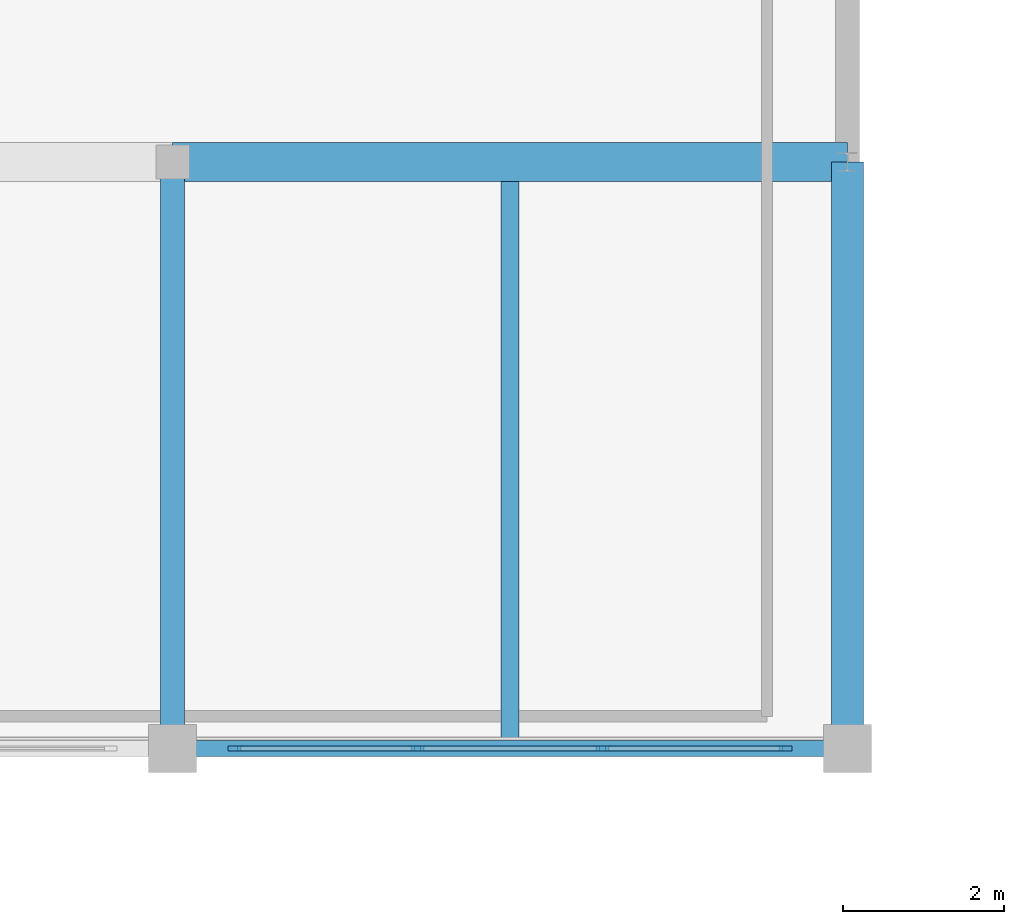
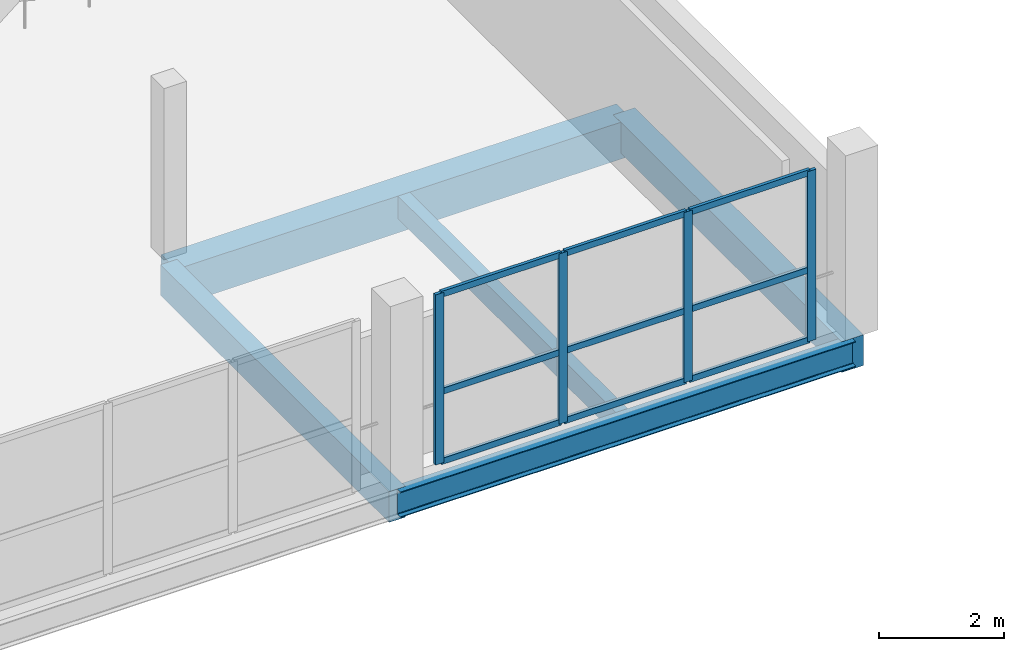
# One storey, part 26 of 51: 13 members, 5 beams, 1 element without a shape of its own.
"""IFC4 building model written with IfcOpenShell, lengths in metres."""

from ifc_helpers import new_model, si_unit, direction, frame, origin, origin_2d, place, context, subcontext, project, spatial, rectangle, i_section, extrude, material, material_profile, profile_set, type_object, element, aggregate, save


model = new_model("IFC4")

# Units and contexts
model_context = context("Model", 3, precision=1e-05, world=origin(), true_north=direction((0.0, 1.0)))
body_context = subcontext(model_context, "Body", "Model", "MODEL_VIEW")
ifc_project = project(units=[si_unit("LENGTHUNIT", "METRE"), si_unit("AREAUNIT", "SQUARE_METRE"), si_unit("VOLUMEUNIT", "CUBIC_METRE"), si_unit("PLANEANGLEUNIT", "RADIAN"), si_unit("MASSUNIT", "GRAM", prefix="KILO")], contexts=[model_context])

# Site, building, storey
site_placement = place(None, origin())
site = spatial("IfcSite", under=ifc_project, at=site_placement, CompositionType="ELEMENT")
building_placement = place(site_placement, origin())
building = spatial("IfcBuilding", under=site, at=building_placement, Name="Vharandega Faculty of Natural Sciences", CompositionType="ELEMENT")
storey_placement = place(building_placement, frame((0.0, 0.0, 14.39990234375)))
storey = spatial("IfcBuildingStorey", under=building, at=storey_placement, Name="L03", CompositionType="ELEMENT", Elevation=14.39990234375)

# Curtain wall, members
ifc_material_1 = material(Name="Aluminium and solar-control glass curtain wall", Category="aluminium")
curtain_wall_type = type_object("IfcCurtainWallType", Name="Unitised Curtain Wall System CW-17", PredefinedType="NOTDEFINED", material=ifc_material_1)
curtain_wall_placement = place(storey_placement, origin())
curtain_wall = element("IfcCurtainWall", 1, at=curtain_wall_placement, inside=storey, type_object=curtain_wall_type, Name="Curtain Wall CW-L03-072", PredefinedType="NOTDEFINED")
ifc_material_2 = material(Name="Thermally broken aluminium 6063-T6", Category="aluminium")
ifc_material_profile_1 = material_profile(ifc_material_2, rectangle(XDim=0.06005859375, YDim=0.159912109375, at=origin_2d()), Name="ALU 60x160")
ifc_profile_set_1 = profile_set([ifc_material_profile_1], Name="Thermally broken aluminium 6063-T6")
member_type_1 = type_object("IfcMemberType", Name="CW Mullion 60x160", PredefinedType="MULLION", material=ifc_profile_set_1)
member_1_placement = place(storey_placement, frame((65.169921875, 97.0, 0.0), z_axis=(0.0, 0.0, 1.0), x_axis=(0.0, 1.0, 0.0)))
member_1 = element("IfcMember", 2, at=member_1_placement, type_object=member_type_1, Name="CW-17 mullion 1", PredefinedType="MULLION", context=body_context, shape_type="SweptSolid", body=[
    extrude(rectangle(XDim=0.06005859375, YDim=0.159912109375, at=origin_2d()), origin(), (0.0, 0.0, 1.0), 3.320068359375),
])
member_2_placement = place(storey_placement, frame((67.44677734375, 97.0, 0.0), z_axis=(0.0, 0.0, 1.0), x_axis=(0.0, 1.0, 0.0)))
member_2 = element("IfcMember", 3, at=member_2_placement, type_object=member_type_1, Name="CW-17 mullion 2", PredefinedType="MULLION", context=body_context, shape_type="SweptSolid", body=[
    extrude(rectangle(XDim=0.06005859375, YDim=0.159912109375, at=origin_2d()), origin(), (0.0, 0.0, 1.0), 3.320068359375),
])
member_3_placement = place(storey_placement, frame((69.75341796875, 97.0, 0.0), z_axis=(0.0, 0.0, 1.0), x_axis=(0.0, 1.0, 0.0)))
member_3 = element("IfcMember", 4, at=member_3_placement, type_object=member_type_1, Name="CW-17 mullion 3", PredefinedType="MULLION", context=body_context, shape_type="SweptSolid", body=[
    extrude(rectangle(XDim=0.06005859375, YDim=0.159912109375, at=origin_2d()), origin(), (0.0, 0.0, 1.0), 3.320068359375),
])
member_4_placement = place(storey_placement, frame((72.030029296875, 97.0, 0.0), z_axis=(0.0, 0.0, 1.0), x_axis=(0.0, 1.0, 0.0)))
member_4 = element("IfcMember", 5, at=member_4_placement, type_object=member_type_1, Name="CW-17 mullion 4", PredefinedType="MULLION", context=body_context, shape_type="SweptSolid", body=[
    extrude(rectangle(XDim=0.06005859375, YDim=0.159912109375, at=origin_2d()), origin(), (0.0, 0.0, 1.0), 3.320068359375),
])
ifc_material_3 = material(Name="Thermally broken aluminium 6063-T6", Category="aluminium")
ifc_material_profile_2 = material_profile(ifc_material_3, rectangle(XDim=0.06005859375, YDim=0.1201171875, at=origin_2d()), Name="ALU 60x120")
ifc_profile_set_2 = profile_set([ifc_material_profile_2], Name="Thermally broken aluminium 6063-T6")
member_type_2 = type_object("IfcMemberType", Name="CW Transom 60x120", PredefinedType="USERDEFINED", material=ifc_profile_set_2)
member_5_placement = place(storey_placement, frame((65.199951171875, 97.0, 0.030029296875), z_axis=(1.0, 0.0, 0.0), x_axis=(0.0, 1.0, 0.0)))
member_5 = element("IfcMember", 6, at=member_5_placement, type_object=member_type_2, Name="CW-17 transom 1.1", ObjectType="TRANSOM", PredefinedType="USERDEFINED", context=body_context, shape_type="SweptSolid", body=[
    extrude(rectangle(XDim=0.06005859375, YDim=0.1201171875, at=origin_2d()), origin(), (0.0, 0.0, 1.0), 2.216796875),
])
member_6_placement = place(storey_placement, frame((65.199951171875, 97.0, 1.39453125), z_axis=(1.0, 0.0, 0.0), x_axis=(0.0, 1.0, 0.0)))
member_6 = element("IfcMember", 7, at=member_6_placement, type_object=member_type_2, Name="CW-17 transom 1.2", ObjectType="TRANSOM", PredefinedType="USERDEFINED", context=body_context, shape_type="SweptSolid", body=[
    extrude(rectangle(XDim=0.06005859375, YDim=0.1201171875, at=origin_2d()), origin(), (0.0, 0.0, 1.0), 2.216796875),
])
member_7_placement = place(storey_placement, frame((65.199951171875, 97.0, 3.2900390625), z_axis=(1.0, 0.0, 0.0), x_axis=(0.0, 1.0, 0.0)))
member_7 = element("IfcMember", 8, at=member_7_placement, type_object=member_type_2, Name="CW-17 transom 1.3", ObjectType="TRANSOM", PredefinedType="USERDEFINED", context=body_context, shape_type="SweptSolid", body=[
    extrude(rectangle(XDim=0.06005859375, YDim=0.1201171875, at=origin_2d()), origin(), (0.0, 0.0, 1.0), 2.216796875),
])
member_8_placement = place(storey_placement, frame((67.4765625, 97.0, 0.030029296875), z_axis=(1.0, 0.0, 0.0), x_axis=(0.0, 1.0, 0.0)))
member_8 = element("IfcMember", 9, at=member_8_placement, type_object=member_type_2, Name="CW-17 transom 2.1", ObjectType="TRANSOM", PredefinedType="USERDEFINED", context=body_context, shape_type="SweptSolid", body=[
    extrude(rectangle(XDim=0.06005859375, YDim=0.1201171875, at=origin_2d()), origin(), (0.0, 0.0, 1.0), 2.246826171875),
])
member_9_placement = place(storey_placement, frame((67.4765625, 97.0, 1.39453125), z_axis=(1.0, 0.0, 0.0), x_axis=(0.0, 1.0, 0.0)))
member_9 = element("IfcMember", 10, at=member_9_placement, type_object=member_type_2, Name="CW-17 transom 2.2", ObjectType="TRANSOM", PredefinedType="USERDEFINED", context=body_context, shape_type="SweptSolid", body=[
    extrude(rectangle(XDim=0.06005859375, YDim=0.1201171875, at=origin_2d()), origin(), (0.0, 0.0, 1.0), 2.246826171875),
])
member_10_placement = place(storey_placement, frame((67.4765625, 97.0, 3.2900390625), z_axis=(1.0, 0.0, 0.0), x_axis=(0.0, 1.0, 0.0)))
member_10 = element("IfcMember", 11, at=member_10_placement, type_object=member_type_2, Name="CW-17 transom 2.3", ObjectType="TRANSOM", PredefinedType="USERDEFINED", context=body_context, shape_type="SweptSolid", body=[
    extrude(rectangle(XDim=0.06005859375, YDim=0.1201171875, at=origin_2d()), origin(), (0.0, 0.0, 1.0), 2.246826171875),
])
member_11_placement = place(storey_placement, frame((69.783447265625, 97.0, 0.030029296875), z_axis=(1.0, 0.0, 0.0), x_axis=(0.0, 1.0, 0.0)))
member_11 = element("IfcMember", 12, at=member_11_placement, type_object=member_type_2, Name="CW-17 transom 3.1", ObjectType="TRANSOM", PredefinedType="USERDEFINED", context=body_context, shape_type="SweptSolid", body=[
    extrude(rectangle(XDim=0.06005859375, YDim=0.1201171875, at=origin_2d()), origin(), (0.0, 0.0, 1.0), 2.216552734375),
])
member_12_placement = place(storey_placement, frame((69.783447265625, 97.0, 1.39453125), z_axis=(1.0, 0.0, 0.0), x_axis=(0.0, 1.0, 0.0)))
member_12 = element("IfcMember", 13, at=member_12_placement, type_object=member_type_2, Name="CW-17 transom 3.2", ObjectType="TRANSOM", PredefinedType="USERDEFINED", context=body_context, shape_type="SweptSolid", body=[
    extrude(rectangle(XDim=0.06005859375, YDim=0.1201171875, at=origin_2d()), origin(), (0.0, 0.0, 1.0), 2.216552734375),
])
member_13_placement = place(storey_placement, frame((69.783447265625, 97.0, 3.2900390625), z_axis=(1.0, 0.0, 0.0), x_axis=(0.0, 1.0, 0.0)))
member_13 = element("IfcMember", 14, at=member_13_placement, type_object=member_type_2, Name="CW-17 transom 3.3", ObjectType="TRANSOM", PredefinedType="USERDEFINED", context=body_context, shape_type="SweptSolid", body=[
    extrude(rectangle(XDim=0.06005859375, YDim=0.1201171875, at=origin_2d()), origin(), (0.0, 0.0, 1.0), 2.216552734375),
])
aggregate(curtain_wall, [member_1, member_2, member_3, member_4, member_5, member_6, member_7, member_8, member_9, member_10, member_11, member_12, member_13])

# Beams
ifc_material_4 = material(Name="Glulam GL28h", Category="wood")
ifc_material_profile_3 = material_profile(ifc_material_4, rectangle(XDim=0.300048828125, YDim=0.60009765625, at=origin_2d()), Name="GL28h 300x600")
ifc_profile_set_3 = profile_set([ifc_material_profile_3], Name="Glulam GL28h")
beam_type_1 = type_object("IfcBeamType", Name="Glulam Floor Beam 300x600", PredefinedType="BEAM", material=ifc_profile_set_3)
beam_1_placement = place(storey_placement, frame((64.39990234375, 97.0, -0.539794921875), z_axis=(0.0, 1.0, 0.0), x_axis=(-1.0, 0.0, 0.0)))
element("IfcBeam", 15, at=beam_1_placement, inside=storey, type_object=beam_type_1, Name="Beam L03 9/N-P", PredefinedType="BEAM", context=body_context, shape_type="SweptSolid", body=[
    extrude(rectangle(XDim=0.300048828125, YDim=0.60009765625, at=origin_2d()), origin(), (0.0, 0.0, 1.0), 7.300048828125),
])
ifc_material_5 = material(Name="Glulam GL32h", Category="wood")
ifc_material_profile_4 = material_profile(ifc_material_5, rectangle(XDim=0.47998046875, YDim=0.719970703125, at=origin_2d()), Name="GL32h 480x720")
ifc_profile_set_4 = profile_set([ifc_material_profile_4], Name="Glulam GL32h")
beam_type_2 = type_object("IfcBeamType", Name="Glulam Primary Girder 480x720", PredefinedType="BEAM", material=ifc_profile_set_4)
beam_2_placement = place(storey_placement, frame((64.39990234375, 104.300048828125, -0.599853515625), z_axis=(1.0, 0.0, 0.0), x_axis=(0.0, 1.0, 0.0)))
element("IfcBeam", 16, at=beam_2_placement, inside=storey, type_object=beam_type_2, Name="Beam L03 P/9-10", PredefinedType="BEAM", context=body_context, shape_type="SweptSolid", body=[
    extrude(rectangle(XDim=0.47998046875, YDim=0.719970703125, at=origin_2d()), origin(), (0.0, 0.0, 1.0), 8.400146484375),
])
ifc_material_6 = material(Name="Glulam GL28h", Category="wood")
ifc_material_profile_5 = material_profile(ifc_material_6, rectangle(XDim=0.219970703125, YDim=0.43994140625, at=origin_2d()), Name="GL28h 220x440")
ifc_profile_set_5 = profile_set([ifc_material_profile_5], Name="Glulam GL28h")
beam_type_3 = type_object("IfcBeamType", Name="Glulam Secondary Joist 220x440", PredefinedType="JOIST", material=ifc_profile_set_5)
beam_3_placement = place(storey_placement, frame((68.60009765625, 97.10009765625, -0.4599609375), z_axis=(0.0, 1.0, 0.0), x_axis=(-1.0, 0.0, 0.0)))
element("IfcBeam", 17, at=beam_3_placement, inside=storey, type_object=beam_type_3, Name="Secondary Joist L03 9-10/N-P", PredefinedType="JOIST", context=body_context, shape_type="SweptSolid", body=[
    extrude(rectangle(XDim=0.219970703125, YDim=0.43994140625, at=origin_2d()), origin(), (0.0, 0.0, 1.0), 6.9599609375),
])
ifc_material_7 = material(Name="Glulam GL32h", Category="wood")
ifc_material_profile_6 = material_profile(ifc_material_7, rectangle(XDim=0.39990234375, YDim=0.60009765625, at=origin_2d()), Name="GL32h 400x600")
ifc_profile_set_6 = profile_set([ifc_material_profile_6], Name="Glulam GL32h")
beam_type_4 = type_object("IfcBeamType", Name="Glulam Spine Girder 400x600", PredefinedType="BEAM", material=ifc_profile_set_6)
beam_4_placement = place(storey_placement, frame((72.800048828125, 97.0, -0.539794921875), z_axis=(0.0, 1.0, 0.0), x_axis=(-1.0, 0.0, 0.0)))
element("IfcBeam", 18, at=beam_4_placement, inside=storey, type_object=beam_type_4, Name="Beam L03 10/N-P", PredefinedType="BEAM", context=body_context, shape_type="SweptSolid", body=[
    extrude(rectangle(XDim=0.39990234375, YDim=0.60009765625, at=origin_2d()), origin(), (0.0, 0.0, 1.0), 7.300048828125),
])
ifc_material_8 = material(Name="Steel S355", Category="steel")
ifc_material_profile_7 = material_profile(ifc_material_8, i_section(OverallWidth=0.199951171875, OverallDepth=0.5, WebThickness=0.01025390625, FlangeThickness=0.01611328125, FilletRadius=0.02099609375, at=origin_2d()), Name="IPE 500")
ifc_profile_set_7 = profile_set([ifc_material_profile_7], Name="Steel S355")
beam_type_5 = type_object("IfcBeamType", Name="Steel Spandrel Beam IPE 500", PredefinedType="SPANDREL", material=ifc_profile_set_7)
beam_5_placement = place(storey_placement, frame((64.39990234375, 97.0, -0.489990234375), z_axis=(1.0, 0.0, 0.0), x_axis=(0.0, 1.0, 0.0)))
element("IfcBeam", 19, at=beam_5_placement, inside=storey, type_object=beam_type_5, Name="Beam L03 N/9-10", PredefinedType="SPANDREL", context=body_context, shape_type="SweptSolid", body=[
    extrude(i_section(OverallWidth=0.199951171875, OverallDepth=0.5, WebThickness=0.01025390625, FlangeThickness=0.01611328125, FilletRadius=0.02099609375, at=origin_2d()), origin(), (0.0, 0.0, 1.0), 8.400146484375),
])

save(model, "model.ifc")
